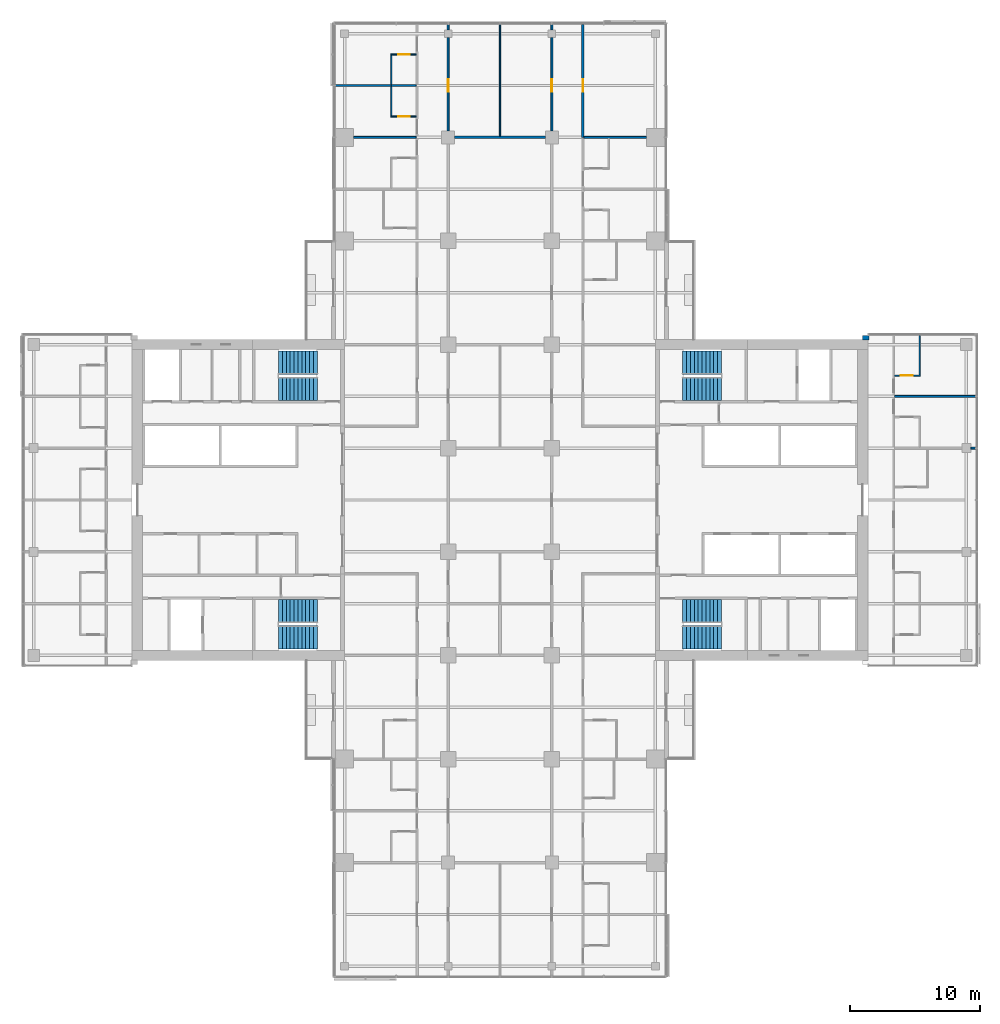
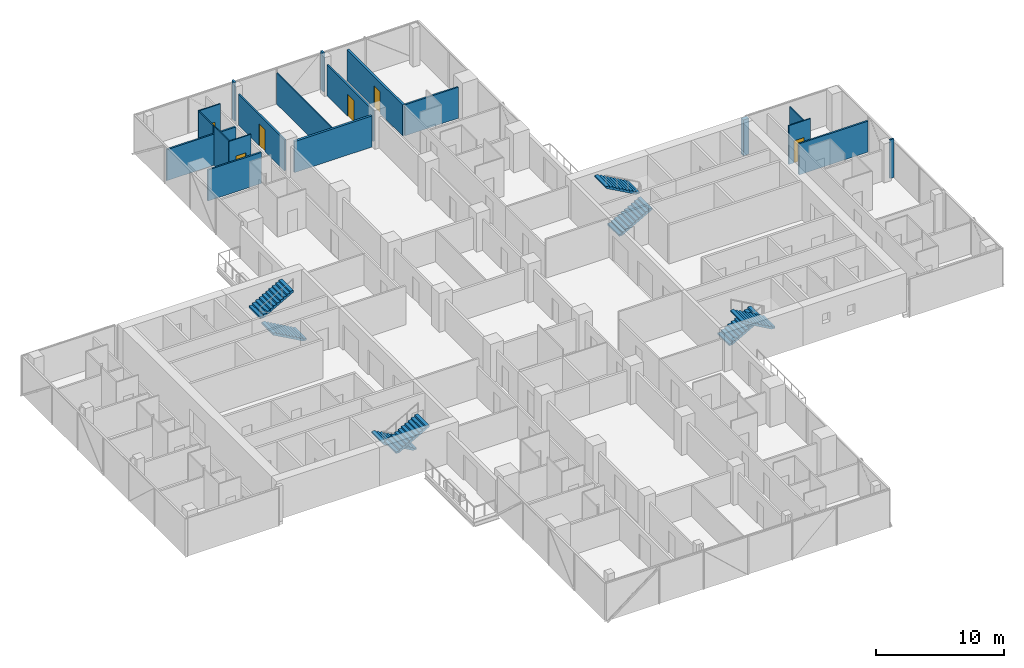
# One storey, part 22 of 27: 19 walls, 8 stair flights, 6 doors, 6 openings, 4 elements without a shape of their own.
"""IFC4 building model written with IfcOpenShell, lengths in metres."""

from ifc_helpers import new_model, si_unit, direction, frame, frame_2d, origin, place, context, subcontext, project, spatial, polyline, rectangle, outline, extrude, material, layer, layer_set, type_object, element, fill, aggregate, save


model = new_model("IFC4")

# Units and contexts
model_context = context("Model", 3, precision=1e-05, world=origin(), true_north=direction((0.0, 1.0)))
body_context = subcontext(model_context, "Body", "Model", "MODEL_VIEW")
ifc_project = project(units=[si_unit("LENGTHUNIT", "METRE"), si_unit("AREAUNIT", "SQUARE_METRE"), si_unit("VOLUMEUNIT", "CUBIC_METRE"), si_unit("PLANEANGLEUNIT", "RADIAN"), si_unit("MASSUNIT", "GRAM", prefix="KILO")], contexts=[model_context])

# Site, building, storey
site_placement = place(None, origin())
site = spatial("IfcSite", under=ifc_project, at=site_placement, CompositionType="ELEMENT")
building_placement = place(site_placement, origin())
building = spatial("IfcBuilding", under=site, at=building_placement, Name="Crosswind Convention Tower", CompositionType="ELEMENT")
storey_placement = place(building_placement, frame((0.0, 0.0, 72.0)))
storey = spatial("IfcBuildingStorey", under=building, at=storey_placement, Name="L12", CompositionType="ELEMENT", Elevation=72.0)

# Wall, opening, door
ifc_material_1 = material(Name="Plasterboard partition", Category="gypsum")
ifc_layer_1 = layer(ifc_material_1, 0.14990234375)
ifc_layer_set_1 = layer_set([ifc_layer_1], Name="CORRIDOR WALL 150")
wall_type_1 = type_object("IfcWallType", Name="CORRIDOR WALL 150", PredefinedType="PARTITIONING", material=ifc_layer_set_1)
wall_1_placement = place(storey_placement, frame((121.0, 128.5, 0.0), z_axis=(0.0, 0.0, 1.0), x_axis=(0.0, 1.0, 0.0)))
wall_1 = element("IfcWall", 1, at=wall_1_placement, inside=storey, type_object=wall_type_1, Name="Corridor Wall 97", PredefinedType="PARTITIONING", context=body_context, shape_type="SweptSolid", body=[
    extrude(rectangle(XDim=7.199951171875, YDim=0.14990234375, at=frame_2d((3.60009765625, 0.0))), origin(), (0.0, 0.0, 1.0), 2.959716796875),
])
opening_1_placement = place(wall_1_placement, frame((3.0, 0.0, 0.0)))
opening_1 = element("IfcOpeningElement", 2, at=opening_1_placement, cuts=wall_1, Name="Opening 12.068", PredefinedType="OPENING", context=body_context, shape_type="SweptSolid", body=[
    extrude(rectangle(XDim=1.0, YDim=2.10009765625, at=frame_2d((0.5, 1.050048828125))), frame((0.0, 0.0849609375, 0.0), z_axis=(0.0, -1.0, 0.0), x_axis=(1.0, 0.0, 0.0)), (0.0, 0.0, 1.0), 0.169921875),
])
ifc_material_2 = material(Name="Timber fire door", Category="wood")
door_type_1 = type_object("IfcDoorType", Name="SERVICE ROOM DOOR 1000X2100", OperationType="NOTDEFINED", PredefinedType="DOOR", material=ifc_material_2)
door_1_placement = place(opening_1_placement, frame((1.0, 0.0, 0.0), z_axis=(0.0, 0.0, 1.0), x_axis=(-1.0, 0.0, 0.0)))
door_1 = element("IfcDoor", 3, at=door_1_placement, inside=storey, type_object=door_type_1, Name="Door 12.068", ObjectType="D3", OperationType="SINGLE_SWING_RIGHT", OverallHeight=2.10009765625, OverallWidth=1.0, PredefinedType="DOOR", context=body_context, shape_type="SweptSolid", body=[
    extrude(rectangle(XDim=1.0, YDim=2.10009765625, at=frame_2d((0.5, 1.050048828125))), frame((0.0, 0.02490234375, 0.0), z_axis=(0.0, -1.0, 0.0), x_axis=(1.0, 0.0, 0.0)), (0.0, 0.0, 1.0), 0.050048828125),
])
fill(opening_1, door_1)

# Wall
wall_2_placement = place(storey_placement, frame((121.0, 136.300048828125, 0.0), z_axis=(0.0, 0.0, 1.0), x_axis=(0.0, 1.0, 0.0)))
element("IfcWall", 4, at=wall_2_placement, inside=storey, type_object=wall_type_1, Name="Corridor Wall 98", PredefinedType="PARTITIONING", context=body_context, shape_type="SweptSolid", body=[
    extrude(rectangle(XDim=0.39990234375, YDim=0.14990234375, at=frame_2d((0.199951171875, 0.0))), origin(), (0.0, 0.0, 1.0), 3.699951171875),
])

# Wall, opening, door
wall_3_placement = place(storey_placement, frame((129.0, 128.5, 0.0), z_axis=(0.0, 0.0, 1.0), x_axis=(0.0, 1.0, 0.0)))
wall_3 = element("IfcWall", 5, at=wall_3_placement, inside=storey, type_object=wall_type_1, Name="Corridor Wall 113", PredefinedType="PARTITIONING", context=body_context, shape_type="SweptSolid", body=[
    extrude(rectangle(XDim=7.199951171875, YDim=0.14990234375, at=frame_2d((3.60009765625, 0.0))), origin(), (0.0, 0.0, 1.0), 2.959716796875),
])
opening_2_placement = place(wall_3_placement, frame((3.0, 0.0, 0.0)))
opening_2 = element("IfcOpeningElement", 6, at=opening_2_placement, cuts=wall_3, Name="Opening 12.069", PredefinedType="OPENING", context=body_context, shape_type="SweptSolid", body=[
    extrude(rectangle(XDim=1.0, YDim=2.10009765625, at=frame_2d((0.5, 1.050048828125))), frame((0.0, 0.0849609375, 0.0), z_axis=(0.0, -1.0, 0.0), x_axis=(1.0, 0.0, 0.0)), (0.0, 0.0, 1.0), 0.169921875),
])
door_2_placement = place(opening_2_placement, origin())
door_2 = element("IfcDoor", 7, at=door_2_placement, inside=storey, type_object=door_type_1, Name="Door 12.069", ObjectType="D3", OperationType="SINGLE_SWING_LEFT", OverallHeight=2.10009765625, OverallWidth=1.0, PredefinedType="DOOR", context=body_context, shape_type="SweptSolid", body=[
    extrude(rectangle(XDim=1.0, YDim=2.10009765625, at=frame_2d((0.5, 1.050048828125))), frame((0.0, 0.02490234375, 0.0), z_axis=(0.0, -1.0, 0.0), x_axis=(1.0, 0.0, 0.0)), (0.0, 0.0, 1.0), 0.050048828125),
])
fill(opening_2, door_2)

# Walls
wall_4_placement = place(storey_placement, frame((129.0, 136.300048828125, 0.0), z_axis=(0.0, 0.0, 1.0), x_axis=(0.0, 1.0, 0.0)))
element("IfcWall", 8, at=wall_4_placement, inside=storey, type_object=wall_type_1, Name="Corridor Wall 114", PredefinedType="PARTITIONING", context=body_context, shape_type="SweptSolid", body=[
    extrude(rectangle(XDim=0.39990234375, YDim=0.14990234375, at=frame_2d((0.199951171875, 0.0))), origin(), (0.0, 0.0, 1.0), 3.699951171875),
])
ifc_material_3 = material(Name="Acoustic plasterboard partition", Category="gypsum")
ifc_layer_2 = layer(ifc_material_3, 0.14990234375)
ifc_layer_set_2 = layer_set([ifc_layer_2], Name="GUEST ROOM WALL 150")
wall_type_2 = type_object("IfcWallType", Name="GUEST ROOM WALL 150", PredefinedType="PARTITIONING", material=ifc_layer_set_2)
wall_5_placement = place(storey_placement, frame((161.35009765625, 104.0, 0.0), z_axis=(0.0, 0.0, 1.0), x_axis=(1.0, 0.0, 0.0)))
element("IfcWall", 9, at=wall_5_placement, inside=storey, type_object=wall_type_2, Name="Guest Room Wall 42", PredefinedType="PARTITIONING", context=body_context, shape_type="SweptSolid", body=[
    extrude(rectangle(XDim=0.349853515625, YDim=0.14990234375, at=frame_2d((0.1748046875, 0.0))), origin(), (0.0, 0.0, 1.0), 3.699951171875),
])
wall_6_placement = place(storey_placement, frame((155.47509765625, 108.0, 0.0), z_axis=(0.0, 0.0, 1.0), x_axis=(1.0, 0.0, 0.0)))
element("IfcWall", 10, at=wall_6_placement, inside=storey, type_object=wall_type_2, Name="Guest Room Wall 48", PredefinedType="PARTITIONING", context=body_context, shape_type="SweptSolid", body=[
    extrude(rectangle(XDim=6.224853515625, YDim=0.14990234375, at=frame_2d((3.1123046875, 0.0))), origin(), (0.0, 0.0, 1.0), 2.962890625),
])
for number, where, z_axis, x_axis, name in (
    (11, (113.699951171875, 128.0, 0.0), (0.0, 0.0, 1.0), (1.0, 0.0, 0.0), "Guest Room Wall 62"),
    (12, (131.47509765625, 128.0, 0.0), (0.0, 0.0, 1.0), (1.0, 0.0, 0.0), "Guest Room Wall 64"),
):
    element("IfcWall", number, at=place(storey_placement, frame(where, z_axis=z_axis, x_axis=x_axis)), inside=storey, type_object=wall_type_2, Name=name, PredefinedType="PARTITIONING", context=body_context, shape_type="SweptSolid", body=[
        extrude(rectangle(XDim=4.824951171875, YDim=0.14990234375, at=frame_2d((2.41259765625, 0.0))), origin(), (0.0, 0.0, 1.0), 2.959716796875),
    ])
wall_7_placement = place(storey_placement, frame((112.300048828125, 132.0, 0.0), z_axis=(0.0, 0.0, 1.0), x_axis=(1.0, 0.0, 0.0)))
element("IfcWall", 13, at=wall_7_placement, inside=storey, type_object=wall_type_2, Name="Guest Room Wall 66", PredefinedType="PARTITIONING", context=body_context, shape_type="SweptSolid", body=[
    extrude(rectangle(XDim=6.224853515625, YDim=0.14990234375, at=frame_2d((3.1123046875, 0.0))), origin(), (0.0, 0.0, 1.0), 2.962890625),
])
ifc_material_4 = material(Name="Double plasterboard partition", Category="gypsum")
ifc_layer_3 = layer(ifc_material_4, 0.199951171875)
ifc_layer_set_3 = layer_set([ifc_layer_3], Name="HALL WALL 200")
wall_type_3 = type_object("IfcWallType", Name="HALL WALL 200", PredefinedType="PARTITIONING", material=ifc_layer_set_3)
wall_8_placement = place(storey_placement, frame((121.5, 128.0, 0.0), z_axis=(0.0, 0.0, 1.0), x_axis=(1.0, 0.0, 0.0)))
element("IfcWall", 14, at=wall_8_placement, inside=storey, type_object=wall_type_3, Name="Hall Wall 63", PredefinedType="PARTITIONING", context=body_context, shape_type="SweptSolid", body=[
    extrude(rectangle(XDim=7.0, YDim=0.199951171875, at=frame_2d((3.5, 0.0))), origin(), (0.0, 0.0, 1.0), 2.959716796875),
])

# Wall, opening, door
wall_9_placement = place(storey_placement, frame((131.39990234375, 128.0, 0.0), z_axis=(0.0, 0.0, 1.0), x_axis=(0.0, 1.0, 0.0)))
wall_9 = element("IfcWall", 15, at=wall_9_placement, inside=storey, type_object=wall_type_3, Name="Hall Wall 119", PredefinedType="PARTITIONING", context=body_context, shape_type="SweptSolid", body=[
    extrude(rectangle(XDim=8.699951171875, YDim=0.199951171875, at=frame_2d((4.35009765625, 0.0))), origin(), (0.0, 0.0, 1.0), 2.959716796875),
])
opening_3_placement = place(wall_9_placement, frame((3.5, 0.0, 0.0)))
opening_3 = element("IfcOpeningElement", 16, at=opening_3_placement, cuts=wall_9, Name="Opening 12.011", PredefinedType="OPENING", context=body_context, shape_type="SweptSolid", body=[
    extrude(rectangle(XDim=1.0, YDim=2.10009765625, at=frame_2d((0.5, 1.050048828125))), frame((0.0, 0.10986328125, 0.0), z_axis=(0.0, -1.0, 0.0), x_axis=(1.0, 0.0, 0.0)), (0.0, 0.0, 1.0), 0.219970703125),
])
door_type_2 = type_object("IfcDoorType", Name="MEETING ROOM DOOR 1000X2100", OperationType="NOTDEFINED", PredefinedType="DOOR", material=ifc_material_2)
door_3_placement = place(opening_3_placement, origin())
door_3 = element("IfcDoor", 17, at=door_3_placement, inside=storey, type_object=door_type_2, Name="Door 12.011", ObjectType="D13", OperationType="SINGLE_SWING_RIGHT", OverallHeight=2.10009765625, OverallWidth=1.0, PredefinedType="DOOR", context=body_context, shape_type="SweptSolid", body=[
    extrude(rectangle(XDim=1.0, YDim=2.10009765625, at=frame_2d((0.5, 1.050048828125))), frame((0.0, 0.02490234375, 0.0), z_axis=(0.0, -1.0, 0.0), x_axis=(1.0, 0.0, 0.0)), (0.0, 0.0, 1.0), 0.050048828125),
])
fill(opening_3, door_3)

# Walls
ifc_layer_4 = layer(ifc_material_1, 0.10009765625)
ifc_layer_set_4 = layer_set([ifc_layer_4], Name="PARTITION 100")
wall_type_4 = type_object("IfcWallType", Name="PARTITION 100", PredefinedType="PARTITIONING", material=ifc_layer_set_4)
wall_10_placement = place(storey_placement, frame((125.0, 128.10009765625, 0.0), z_axis=(0.0, 0.0, 1.0), x_axis=(0.0, 1.0, 0.0)))
element("IfcWall", 18, at=wall_10_placement, inside=storey, type_object=wall_type_4, Name="Partition 103", PredefinedType="PARTITIONING", context=body_context, shape_type="SweptSolid", body=[
    extrude(rectangle(XDim=8.599853515625, YDim=0.10009765625, at=frame_2d((4.2998046875, 0.0))), origin(), (0.0, 0.0, 1.0), 2.962890625),
])
ifc_material_5 = material(Name="Terracotta rainscreen", Category="ceramic")
ifc_layer_5 = layer(ifc_material_5, 0.02001953125)
ifc_material_6 = material(Name="Mineral wool insulation", Category="insulation")
ifc_layer_6 = layer(ifc_material_6, 0.10009765625)
ifc_material_7 = material(Name="Concrete blockwork", Category="masonry")
ifc_layer_7 = layer(ifc_material_7, 0.236083984375)
ifc_layer_set_5 = layer_set([ifc_layer_5, ifc_layer_6, ifc_layer_7], Name="TERRACOTTA CORNER INFILL WALL 356")
wall_type_5 = type_object("IfcWallType", Name="TERRACOTTA CORNER INFILL WALL 356", PredefinedType="SOLIDWALL", material=ifc_layer_set_5)
wall_11_placement = place(storey_placement, frame((153.0, 112.52197265625, 0.0), z_axis=(0.0, 0.0, 1.0), x_axis=(1.0, 0.0, 0.0)))
element("IfcWall", 19, at=wall_11_placement, inside=storey, type_object=wall_type_5, Name="Core corner infill wall L12 1", PredefinedType="SOLIDWALL", context=body_context, shape_type="SweptSolid", body=[
    extrude(rectangle(XDim=0.5048828125, YDim=0.35595703125, at=frame_2d((0.25244140625, 0.0))), origin(), (0.0, 0.0, 1.0), 3.419921875),
])

# Wall, opening, door
ifc_material_8 = material(Name="Water-resistant plasterboard partition", Category="gypsum")
ifc_layer_8 = layer(ifc_material_8, 0.10009765625)
ifc_layer_set_6 = layer_set([ifc_layer_8], Name="WET ROOM PARTITION 100")
wall_type_6 = type_object("IfcWallType", Name="WET ROOM PARTITION 100", PredefinedType="PLUMBINGWALL", material=ifc_layer_set_6)
wall_12_placement = place(storey_placement, frame((155.47509765625, 109.60009765625, 0.0), z_axis=(0.0, 0.0, 1.0), x_axis=(1.0, 0.0, 0.0)))
wall_12 = element("IfcWall", 20, at=wall_12_placement, inside=storey, type_object=wall_type_6, Name="Wet Room Partition 49", PredefinedType="PLUMBINGWALL", context=body_context, shape_type="SweptSolid", body=[
    extrude(rectangle(XDim=1.974853515625, YDim=0.10009765625, at=frame_2d((0.9873046875, 0.0))), origin(), (0.0, 0.0, 1.0), 3.699951171875),
])
opening_4_placement = place(wall_12_placement, frame((0.47509765625, 0.0, 0.0)))
opening_4 = element("IfcOpeningElement", 21, at=opening_4_placement, cuts=wall_12, Name="Opening 12.044", PredefinedType="OPENING", context=body_context, shape_type="SweptSolid", body=[
    extrude(rectangle(XDim=0.89990234375, YDim=2.10009765625, at=frame_2d((0.449951171875, 1.050048828125))), frame((0.0, 0.06005859375, 0.0), z_axis=(0.0, -1.0, 0.0), x_axis=(1.0, 0.0, 0.0)), (0.0, 0.0, 1.0), 0.1201171875),
])
ifc_material_9 = material(Name="Timber door", Category="wood")
door_type_3 = type_object("IfcDoorType", Name="EN-SUITE DOOR 900X2100", OperationType="NOTDEFINED", PredefinedType="DOOR", material=ifc_material_9)
door_4_placement = place(opening_4_placement, origin())
door_4 = element("IfcDoor", 22, at=door_4_placement, inside=storey, type_object=door_type_3, Name="Door 12.044", ObjectType="D2", OperationType="SINGLE_SWING_RIGHT", OverallHeight=2.10009765625, OverallWidth=0.89990234375, PredefinedType="DOOR", context=body_context, shape_type="SweptSolid", body=[
    extrude(rectangle(XDim=0.89990234375, YDim=2.10009765625, at=frame_2d((0.449951171875, 1.050048828125))), frame((0.0, 0.02490234375, 0.0), z_axis=(0.0, -1.0, 0.0), x_axis=(1.0, 0.0, 0.0)), (0.0, 0.0, 1.0), 0.050048828125),
])
fill(opening_4, door_4)

wall_13_placement = place(storey_placement, frame((116.550048828125, 129.60009765625, 0.0), z_axis=(0.0, 0.0, 1.0), x_axis=(1.0, 0.0, 0.0)))
wall_13 = element("IfcWall", 23, at=wall_13_placement, inside=storey, type_object=wall_type_6, Name="Wet Room Partition 65", PredefinedType="PLUMBINGWALL", context=body_context, shape_type="SweptSolid", body=[
    extrude(rectangle(XDim=1.974853515625, YDim=0.10009765625, at=frame_2d((0.9873046875, 0.0))), origin(), (0.0, 0.0, 1.0), 3.699951171875),
])
opening_5_placement = place(wall_13_placement, frame((0.60009765625, 0.0, 0.0)))
opening_5 = element("IfcOpeningElement", 24, at=opening_5_placement, cuts=wall_13, Name="Opening 12.017", PredefinedType="OPENING", context=body_context, shape_type="SweptSolid", body=[
    extrude(rectangle(XDim=0.89990234375, YDim=2.10009765625, at=frame_2d((0.449951171875, 1.050048828125))), frame((0.0, 0.06005859375, 0.0), z_axis=(0.0, -1.0, 0.0), x_axis=(1.0, 0.0, 0.0)), (0.0, 0.0, 1.0), 0.1201171875),
])
door_5_placement = place(opening_5_placement, origin())
door_5 = element("IfcDoor", 25, at=door_5_placement, inside=storey, type_object=door_type_3, Name="Door 12.017", ObjectType="D2", OperationType="SINGLE_SWING_RIGHT", OverallHeight=2.10009765625, OverallWidth=0.89990234375, PredefinedType="DOOR", context=body_context, shape_type="SweptSolid", body=[
    extrude(rectangle(XDim=0.89990234375, YDim=2.10009765625, at=frame_2d((0.449951171875, 1.050048828125))), frame((0.0, 0.02490234375, 0.0), z_axis=(0.0, -1.0, 0.0), x_axis=(1.0, 0.0, 0.0)), (0.0, 0.0, 1.0), 0.050048828125),
])
fill(opening_5, door_5)

wall_14_placement = place(storey_placement, frame((116.550048828125, 134.39990234375, 0.0), z_axis=(0.0, 0.0, 1.0), x_axis=(1.0, 0.0, 0.0)))
wall_14 = element("IfcWall", 26, at=wall_14_placement, inside=storey, type_object=wall_type_6, Name="Wet Room Partition 67", PredefinedType="PLUMBINGWALL", context=body_context, shape_type="SweptSolid", body=[
    extrude(rectangle(XDim=1.974853515625, YDim=0.10009765625, at=frame_2d((0.9873046875, 0.0))), origin(), (0.0, 0.0, 1.0), 3.699951171875),
])
opening_6_placement = place(wall_14_placement, frame((0.60009765625, 0.0, 0.0)))
opening_6 = element("IfcOpeningElement", 27, at=opening_6_placement, cuts=wall_14, Name="Opening 12.019", PredefinedType="OPENING", context=body_context, shape_type="SweptSolid", body=[
    extrude(rectangle(XDim=0.89990234375, YDim=2.10009765625, at=frame_2d((0.449951171875, 1.050048828125))), frame((0.0, 0.06005859375, 0.0), z_axis=(0.0, -1.0, 0.0), x_axis=(1.0, 0.0, 0.0)), (0.0, 0.0, 1.0), 0.1201171875),
])
door_6_placement = place(opening_6_placement, frame((0.89990234375, 0.0, 0.0), z_axis=(0.0, 0.0, 1.0), x_axis=(-1.0, 0.0, 0.0)))
door_6 = element("IfcDoor", 28, at=door_6_placement, inside=storey, type_object=door_type_3, Name="Door 12.019", ObjectType="D2", OperationType="SINGLE_SWING_LEFT", OverallHeight=2.10009765625, OverallWidth=0.89990234375, PredefinedType="DOOR", context=body_context, shape_type="SweptSolid", body=[
    extrude(rectangle(XDim=0.89990234375, YDim=2.10009765625, at=frame_2d((0.449951171875, 1.050048828125))), frame((0.0, 0.02490234375, 0.0), z_axis=(0.0, -1.0, 0.0), x_axis=(1.0, 0.0, 0.0)), (0.0, 0.0, 1.0), 0.050048828125),
])
fill(opening_6, door_6)

# Walls
for number, where, z_axis, x_axis, name in (
    (29, (116.60009765625, 129.64990234375, 0.0), (0.0, 0.0, 1.0), (0.0, 1.0, 0.0), "Wet Room Partition 80"),
    (30, (116.60009765625, 132.074951171875, 0.0), (0.0, 0.0, 1.0), (0.0, 1.0, 0.0), "Wet Room Partition 81"),
):
    element("IfcWall", number, at=place(storey_placement, frame(where, z_axis=z_axis, x_axis=x_axis)), inside=storey, type_object=wall_type_6, Name=name, PredefinedType="PLUMBINGWALL", context=body_context, shape_type="SweptSolid", body=[
        extrude(rectangle(XDim=2.275146484375, YDim=0.10009765625, at=frame_2d((1.1376953125, 0.0))), origin(), (0.0, 0.0, 1.0), 3.699951171875),
    ])
wall_15_placement = place(storey_placement, frame((157.39990234375, 109.64990234375, 0.0), z_axis=(0.0, 0.0, 1.0), x_axis=(0.0, 1.0, 0.0)))
element("IfcWall", 31, at=wall_15_placement, inside=storey, type_object=wall_type_6, Name="Wet Room Partition 131", PredefinedType="PLUMBINGWALL", context=body_context, shape_type="SweptSolid", body=[
    extrude(rectangle(XDim=3.050048828125, YDim=0.10009765625, at=frame_2d((1.52490234375, 0.0))), origin(), (0.0, 0.0, 1.0), 2.962890625),
])

# Stair, stair flights
ifc_material_10 = material(Name="Concrete C40/50", Category="concrete")
stair_type = type_object("IfcStairType", Name="Exit stair 1800 wide, 2 flights of 11 risers", PredefinedType="HALF_TURN_STAIR", material=ifc_material_10)
stair_1_placement = place(storey_placement, origin())
stair_1 = element("IfcStair", 32, at=stair_1_placement, inside=storey, type_object=stair_type, Name="Exit stair ST1 L12", ObjectType="ST5", PredefinedType="HALF_TURN_STAIR")
stair_flight_type = type_object("IfcStairFlightType", Name="Stair flight 1800 wide, 11 risers (SF3)", PredefinedType="STRAIGHT", material=ifc_material_10)
stair_flight_1_placement = place(storey_placement, frame((139.10009765625, 108.60009765625, 0.0), z_axis=(0.0, 0.0, 1.0), x_axis=(1.0, 0.0, 0.0)))
stair_flight_1 = element("IfcStairFlight", 33, at=stair_flight_1_placement, type_object=stair_flight_type, Name="ST1 flight 1", NumberOfRisers=11, NumberOfTreads=10, PredefinedType="STRAIGHT", RiserHeight=0.168181818, TreadLength=0.3, context=body_context, shape_type="SweptSolid", body=[
    extrude(outline(polyline([(0.0, 0.0), (0.0, 0.168212890625), (0.300048828125, 0.168212890625), (0.300048828125, 0.33642578125), (0.60009765625, 0.33642578125), (0.60009765625, 0.504638671875), (0.89990234375, 0.504638671875), (0.89990234375, 0.672607421875), (1.199951171875, 0.672607421875), (1.199951171875, 0.8408203125), (1.5, 0.8408203125), (1.5, 1.009033203125), (1.800048828125, 1.009033203125), (1.800048828125, 1.17724609375), (2.10009765625, 1.17724609375), (2.10009765625, 1.345458984375), (2.39990234375, 1.345458984375), (2.39990234375, 1.513671875), (2.699951171875, 1.513671875), (2.699951171875, 1.681884765625), (3.0, 1.681884765625), (3.0, 1.85009765625), (3.0, 1.510009765625), (0.306640625, 0.0), (0.0, 0.0)])), frame((0.0, 0.89990234375, 0.0), z_axis=(0.0, -1.0, 0.0), x_axis=(1.0, 0.0, 0.0)), (0.0, 0.0, 1.0), 1.800048828125),
])
stair_flight_2_placement = place(storey_placement, frame((142.10009765625, 110.60009765625, 1.85009765625), z_axis=(0.0, 0.0, 1.0), x_axis=(-1.0, 0.0, 0.0)))
stair_flight_2 = element("IfcStairFlight", 34, at=stair_flight_2_placement, type_object=stair_flight_type, Name="ST1 flight 2", NumberOfRisers=11, NumberOfTreads=10, PredefinedType="STRAIGHT", RiserHeight=0.168181818, TreadLength=0.3, context=body_context, shape_type="SweptSolid", body=[
    extrude(outline(polyline([(0.0, 0.0), (0.0, 0.168212890625), (0.300048828125, 0.168212890625), (0.300048828125, 0.33642578125), (0.60009765625, 0.33642578125), (0.60009765625, 0.504638671875), (0.89990234375, 0.504638671875), (0.89990234375, 0.672607421875), (1.199951171875, 0.672607421875), (1.199951171875, 0.8408203125), (1.5, 0.8408203125), (1.5, 1.009033203125), (1.800048828125, 1.009033203125), (1.800048828125, 1.17724609375), (2.10009765625, 1.17724609375), (2.10009765625, 1.345458984375), (2.39990234375, 1.345458984375), (2.39990234375, 1.513671875), (2.699951171875, 1.513671875), (2.699951171875, 1.681884765625), (3.0, 1.681884765625), (3.0, 1.85009765625), (3.0, 1.510009765625), (0.306640625, 0.0), (0.0, 0.0)])), frame((0.0, 0.89990234375, 0.0), z_axis=(0.0, -1.0, 0.0), x_axis=(1.0, 0.0, 0.0)), (0.0, 0.0, 1.0), 1.800048828125),
])
aggregate(stair_1, [stair_flight_1, stair_flight_2])

stair_2_placement = place(storey_placement, origin())
stair_2 = element("IfcStair", 35, at=stair_2_placement, inside=storey, type_object=stair_type, Name="Exit stair ST2 L12", ObjectType="ST5", PredefinedType="HALF_TURN_STAIR")
stair_flight_3_placement = place(storey_placement, frame((139.10009765625, 91.39990234375, 0.0), z_axis=(0.0, 0.0, 1.0), x_axis=(1.0, 0.0, 0.0)))
stair_flight_3 = element("IfcStairFlight", 36, at=stair_flight_3_placement, type_object=stair_flight_type, Name="ST2 flight 1", NumberOfRisers=11, NumberOfTreads=10, PredefinedType="STRAIGHT", RiserHeight=0.168181818, TreadLength=0.3, context=body_context, shape_type="SweptSolid", body=[
    extrude(outline(polyline([(0.0, 0.0), (0.0, 0.168212890625), (0.300048828125, 0.168212890625), (0.300048828125, 0.33642578125), (0.60009765625, 0.33642578125), (0.60009765625, 0.504638671875), (0.89990234375, 0.504638671875), (0.89990234375, 0.672607421875), (1.199951171875, 0.672607421875), (1.199951171875, 0.8408203125), (1.5, 0.8408203125), (1.5, 1.009033203125), (1.800048828125, 1.009033203125), (1.800048828125, 1.17724609375), (2.10009765625, 1.17724609375), (2.10009765625, 1.345458984375), (2.39990234375, 1.345458984375), (2.39990234375, 1.513671875), (2.699951171875, 1.513671875), (2.699951171875, 1.681884765625), (3.0, 1.681884765625), (3.0, 1.85009765625), (3.0, 1.510009765625), (0.306640625, 0.0), (0.0, 0.0)])), frame((0.0, 0.89990234375, 0.0), z_axis=(0.0, -1.0, 0.0), x_axis=(1.0, 0.0, 0.0)), (0.0, 0.0, 1.0), 1.800048828125),
])
stair_flight_4_placement = place(storey_placement, frame((142.10009765625, 89.39990234375, 1.85009765625), z_axis=(0.0, 0.0, 1.0), x_axis=(-1.0, 0.0, 0.0)))
stair_flight_4 = element("IfcStairFlight", 37, at=stair_flight_4_placement, type_object=stair_flight_type, Name="ST2 flight 2", NumberOfRisers=11, NumberOfTreads=10, PredefinedType="STRAIGHT", RiserHeight=0.168181818, TreadLength=0.3, context=body_context, shape_type="SweptSolid", body=[
    extrude(outline(polyline([(0.0, 0.0), (0.0, 0.168212890625), (0.300048828125, 0.168212890625), (0.300048828125, 0.33642578125), (0.60009765625, 0.33642578125), (0.60009765625, 0.504638671875), (0.89990234375, 0.504638671875), (0.89990234375, 0.672607421875), (1.199951171875, 0.672607421875), (1.199951171875, 0.8408203125), (1.5, 0.8408203125), (1.5, 1.009033203125), (1.800048828125, 1.009033203125), (1.800048828125, 1.17724609375), (2.10009765625, 1.17724609375), (2.10009765625, 1.345458984375), (2.39990234375, 1.345458984375), (2.39990234375, 1.513671875), (2.699951171875, 1.513671875), (2.699951171875, 1.681884765625), (3.0, 1.681884765625), (3.0, 1.85009765625), (3.0, 1.510009765625), (0.306640625, 0.0), (0.0, 0.0)])), frame((0.0, 0.89990234375, 0.0), z_axis=(0.0, -1.0, 0.0), x_axis=(1.0, 0.0, 0.0)), (0.0, 0.0, 1.0), 1.800048828125),
])
aggregate(stair_2, [stair_flight_3, stair_flight_4])

stair_3_placement = place(storey_placement, origin())
stair_3 = element("IfcStair", 38, at=stair_3_placement, inside=storey, type_object=stair_type, Name="Exit stair ST3 L12", ObjectType="ST5", PredefinedType="HALF_TURN_STAIR")
stair_flight_5_placement = place(storey_placement, frame((110.89990234375, 91.39990234375, 0.0), z_axis=(0.0, 0.0, 1.0), x_axis=(-1.0, 0.0, 0.0)))
stair_flight_5 = element("IfcStairFlight", 39, at=stair_flight_5_placement, type_object=stair_flight_type, Name="ST3 flight 1", NumberOfRisers=11, NumberOfTreads=10, PredefinedType="STRAIGHT", RiserHeight=0.168181818, TreadLength=0.3, context=body_context, shape_type="SweptSolid", body=[
    extrude(outline(polyline([(0.0, 0.0), (0.0, 0.168212890625), (0.300048828125, 0.168212890625), (0.300048828125, 0.33642578125), (0.60009765625, 0.33642578125), (0.60009765625, 0.504638671875), (0.89990234375, 0.504638671875), (0.89990234375, 0.672607421875), (1.199951171875, 0.672607421875), (1.199951171875, 0.8408203125), (1.5, 0.8408203125), (1.5, 1.009033203125), (1.800048828125, 1.009033203125), (1.800048828125, 1.17724609375), (2.10009765625, 1.17724609375), (2.10009765625, 1.345458984375), (2.39990234375, 1.345458984375), (2.39990234375, 1.513671875), (2.699951171875, 1.513671875), (2.699951171875, 1.681884765625), (3.0, 1.681884765625), (3.0, 1.85009765625), (3.0, 1.510009765625), (0.306640625, 0.0), (0.0, 0.0)])), frame((0.0, 0.89990234375, 0.0), z_axis=(0.0, -1.0, 0.0), x_axis=(1.0, 0.0, 0.0)), (0.0, 0.0, 1.0), 1.800048828125),
])
stair_flight_6_placement = place(storey_placement, frame((107.89990234375, 89.39990234375, 1.85009765625), z_axis=(0.0, 0.0, 1.0), x_axis=(1.0, 0.0, 0.0)))
stair_flight_6 = element("IfcStairFlight", 40, at=stair_flight_6_placement, type_object=stair_flight_type, Name="ST3 flight 2", NumberOfRisers=11, NumberOfTreads=10, PredefinedType="STRAIGHT", RiserHeight=0.168181818, TreadLength=0.3, context=body_context, shape_type="SweptSolid", body=[
    extrude(outline(polyline([(0.0, 0.0), (0.0, 0.168212890625), (0.300048828125, 0.168212890625), (0.300048828125, 0.33642578125), (0.60009765625, 0.33642578125), (0.60009765625, 0.504638671875), (0.89990234375, 0.504638671875), (0.89990234375, 0.672607421875), (1.199951171875, 0.672607421875), (1.199951171875, 0.8408203125), (1.5, 0.8408203125), (1.5, 1.009033203125), (1.800048828125, 1.009033203125), (1.800048828125, 1.17724609375), (2.10009765625, 1.17724609375), (2.10009765625, 1.345458984375), (2.39990234375, 1.345458984375), (2.39990234375, 1.513671875), (2.699951171875, 1.513671875), (2.699951171875, 1.681884765625), (3.0, 1.681884765625), (3.0, 1.85009765625), (3.0, 1.510009765625), (0.306640625, 0.0), (0.0, 0.0)])), frame((0.0, 0.89990234375, 0.0), z_axis=(0.0, -1.0, 0.0), x_axis=(1.0, 0.0, 0.0)), (0.0, 0.0, 1.0), 1.800048828125),
])
aggregate(stair_3, [stair_flight_5, stair_flight_6])

stair_4_placement = place(storey_placement, origin())
stair_4 = element("IfcStair", 41, at=stair_4_placement, inside=storey, type_object=stair_type, Name="Exit stair ST4 L12", ObjectType="ST5", PredefinedType="HALF_TURN_STAIR")
stair_flight_7_placement = place(storey_placement, frame((110.89990234375, 108.60009765625, 0.0), z_axis=(0.0, 0.0, 1.0), x_axis=(-1.0, 0.0, 0.0)))
stair_flight_7 = element("IfcStairFlight", 42, at=stair_flight_7_placement, type_object=stair_flight_type, Name="ST4 flight 1", NumberOfRisers=11, NumberOfTreads=10, PredefinedType="STRAIGHT", RiserHeight=0.168181818, TreadLength=0.3, context=body_context, shape_type="SweptSolid", body=[
    extrude(outline(polyline([(0.0, 0.0), (0.0, 0.168212890625), (0.300048828125, 0.168212890625), (0.300048828125, 0.33642578125), (0.60009765625, 0.33642578125), (0.60009765625, 0.504638671875), (0.89990234375, 0.504638671875), (0.89990234375, 0.672607421875), (1.199951171875, 0.672607421875), (1.199951171875, 0.8408203125), (1.5, 0.8408203125), (1.5, 1.009033203125), (1.800048828125, 1.009033203125), (1.800048828125, 1.17724609375), (2.10009765625, 1.17724609375), (2.10009765625, 1.345458984375), (2.39990234375, 1.345458984375), (2.39990234375, 1.513671875), (2.699951171875, 1.513671875), (2.699951171875, 1.681884765625), (3.0, 1.681884765625), (3.0, 1.85009765625), (3.0, 1.510009765625), (0.306640625, 0.0), (0.0, 0.0)])), frame((0.0, 0.89990234375, 0.0), z_axis=(0.0, -1.0, 0.0), x_axis=(1.0, 0.0, 0.0)), (0.0, 0.0, 1.0), 1.800048828125),
])
stair_flight_8_placement = place(storey_placement, frame((107.89990234375, 110.60009765625, 1.85009765625), z_axis=(0.0, 0.0, 1.0), x_axis=(1.0, 0.0, 0.0)))
stair_flight_8 = element("IfcStairFlight", 43, at=stair_flight_8_placement, type_object=stair_flight_type, Name="ST4 flight 2", NumberOfRisers=11, NumberOfTreads=10, PredefinedType="STRAIGHT", RiserHeight=0.168181818, TreadLength=0.3, context=body_context, shape_type="SweptSolid", body=[
    extrude(outline(polyline([(0.0, 0.0), (0.0, 0.168212890625), (0.300048828125, 0.168212890625), (0.300048828125, 0.33642578125), (0.60009765625, 0.33642578125), (0.60009765625, 0.504638671875), (0.89990234375, 0.504638671875), (0.89990234375, 0.672607421875), (1.199951171875, 0.672607421875), (1.199951171875, 0.8408203125), (1.5, 0.8408203125), (1.5, 1.009033203125), (1.800048828125, 1.009033203125), (1.800048828125, 1.17724609375), (2.10009765625, 1.17724609375), (2.10009765625, 1.345458984375), (2.39990234375, 1.345458984375), (2.39990234375, 1.513671875), (2.699951171875, 1.513671875), (2.699951171875, 1.681884765625), (3.0, 1.681884765625), (3.0, 1.85009765625), (3.0, 1.510009765625), (0.306640625, 0.0), (0.0, 0.0)])), frame((0.0, 0.89990234375, 0.0), z_axis=(0.0, -1.0, 0.0), x_axis=(1.0, 0.0, 0.0)), (0.0, 0.0, 1.0), 1.800048828125),
])
aggregate(stair_4, [stair_flight_7, stair_flight_8])

save(model, "model.ifc")
